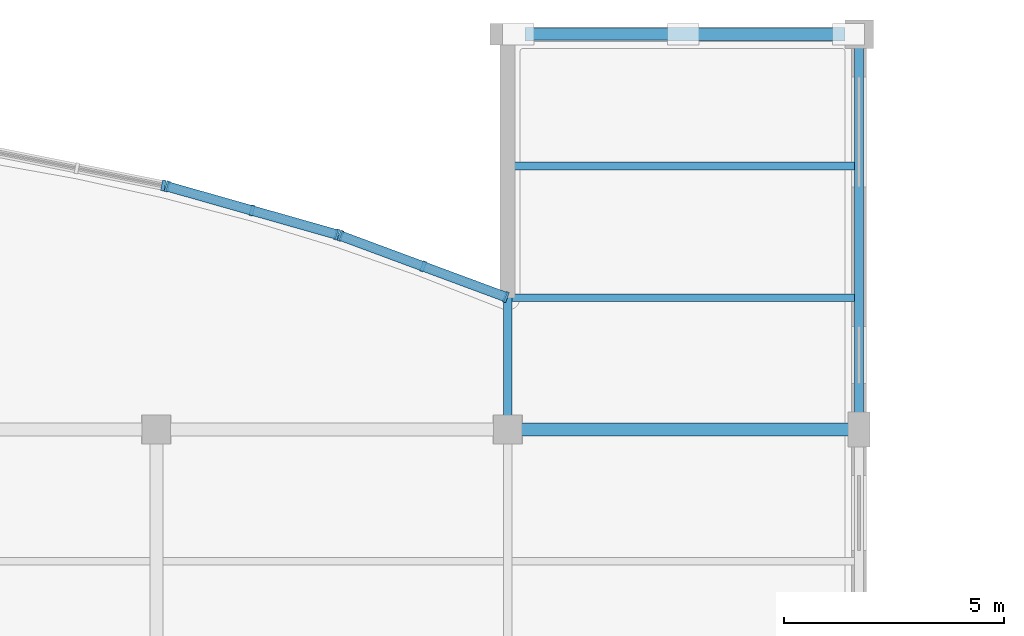
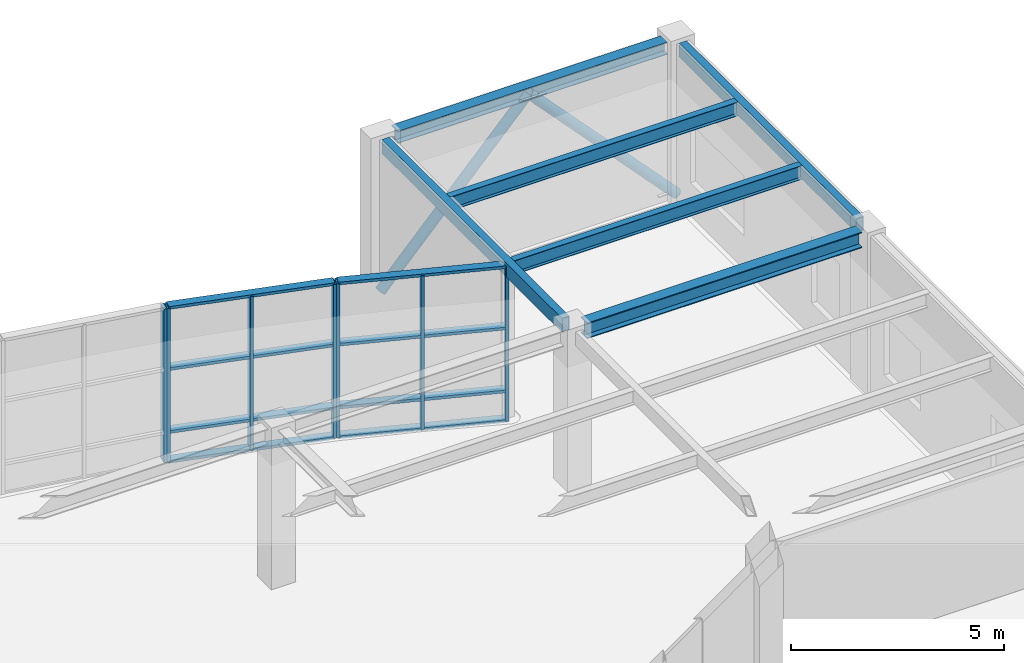
# One storey, part 32 of 63: 17 members, 6 beams, 3 elements without a shape of their own.
"""IFC4 building model written with IfcOpenShell, lengths in metres."""

from ifc_helpers import new_model, si_unit, direction, frame, origin, origin_2d, place, context, subcontext, project, spatial, rectangle, hollow_rectangle, hollow_circle, i_section, extrude, material, layer, layer_set, material_profile, profile_set, type_object, element, aggregate, save


model = new_model("IFC4")

# Units and contexts
model_context = context("Model", 3, precision=1e-05, world=origin(), true_north=direction((0.0, 1.0)))
body_context = subcontext(model_context, "Body", "Model", "MODEL_VIEW")
ifc_project = project(units=[si_unit("LENGTHUNIT", "METRE"), si_unit("AREAUNIT", "SQUARE_METRE"), si_unit("VOLUMEUNIT", "CUBIC_METRE"), si_unit("PLANEANGLEUNIT", "RADIAN"), si_unit("MASSUNIT", "GRAM", prefix="KILO")], contexts=[model_context])

# Site, building, storey
site_placement = place(None, origin())
site = spatial("IfcSite", under=ifc_project, at=site_placement, CompositionType="ELEMENT")
building_placement = place(site_placement, origin())
building = spatial("IfcBuilding", under=site, at=building_placement, Name="Keelwater Ferry Terminal", CompositionType="ELEMENT")
storey_placement = place(building_placement, frame((0.0, 0.0, 10.199951171875)))
storey = spatial("IfcBuildingStorey", under=building, at=storey_placement, Name="L02", CompositionType="ELEMENT", Elevation=10.199951171875)

# Members
ifc_material_1 = material(Name="Steel S355", Category="steel")
ifc_material_profile_1 = material_profile(ifc_material_1, hollow_circle(Radius=0.136474609375, WallThickness=0.012451171875, at=origin_2d()), Name="CHS 273x12.5")
ifc_profile_set_1 = profile_set([ifc_material_profile_1], Name="Steel S355")
member_type_1 = type_object("IfcMemberType", Name="BR2 CHS 273x12.5", PredefinedType="BRACE", material=ifc_profile_set_1)
for number, where, z_axis, x_axis, name in (
    (1, (172.0, 126.0, 0.0), (0.683655146647, 0.0, 0.729805207205), (0.0, 1.0, 0.0), "Structural Member MB-L02-0583"),
    (2, (180.0, 126.0, 0.0), (-0.683655146647, 0.0, 0.729805207205), (0.0, -1.0, 0.0), "Structural Member MB-L02-0584"),
):
    element("IfcMember", number, at=place(storey_placement, frame(where, z_axis=z_axis, x_axis=x_axis)), inside=storey, type_object=member_type_1, Name=name, PredefinedType="BRACE", context=body_context, shape_type="SweptSolid", body=[
        extrude(hollow_circle(Radius=0.136474609375, WallThickness=0.012451171875, at=origin_2d()), origin(), (0.0, 0.0, 1.0), 5.850830078125),
    ])

# Curtain wall, members
ifc_material_2 = material(Name="Thermally broken unitised aluminium and triple glass", Category="aluminium")
ifc_layer = layer(ifc_material_2, 0.179931640625)
ifc_layer_set = layer_set([ifc_layer], Name="Thermally broken unitised aluminium and triple glass")
curtain_wall_type = type_object("IfcCurtainWallType", Name="CW-21 Unitised Curtain Wall 4015x4400", PredefinedType="USERDEFINED", material=ifc_layer_set)
curtain_wall_1_placement = place(storey_placement, origin())
curtain_wall_1 = element("IfcCurtainWall", 3, at=curtain_wall_1_placement, inside=storey, type_object=curtain_wall_type, Name="Unitised Curtain Wall CW-L02-193", ObjectType="UNITISED CURTAIN WALL", PredefinedType="USERDEFINED")
ifc_material_3 = material(Name="Aluminium mullion", Category="aluminium")
ifc_material_profile_2 = material_profile(ifc_material_3, rectangle(XDim=0.080078125, YDim=0.25, at=origin_2d()), Name="CWM-04")
ifc_profile_set_2 = profile_set([ifc_material_profile_2], Name="Aluminium mullion")
member_type_2 = type_object("IfcMemberType", Name="CWM-04 Curtain Mullion 80x250", PredefinedType="MULLION", material=ifc_profile_set_2)
member_1_placement = place(storey_placement, frame((171.9580078125, 120.01611328125, 0.0), z_axis=(0.0, 0.0, 1.0), x_axis=(-0.937592418253, 0.347736189136, 0.0)))
member_1 = element("IfcMember", 4, at=member_1_placement, type_object=member_type_2, Name="CW-L02-193 Mullion 1", PredefinedType="MULLION", context=body_context, shape_type="SweptSolid", body=[
    extrude(rectangle(XDim=0.080078125, YDim=0.25, at=origin_2d()), origin(), (0.0, 0.0, 1.0), 4.400146484375),
])
member_2_placement = place(storey_placement, frame((170.075927734375, 120.714111328125, 0.0), z_axis=(0.0, 0.0, 1.0), x_axis=(-0.937592418253, 0.347736189136, 0.0)))
member_2 = element("IfcMember", 5, at=member_2_placement, type_object=member_type_2, Name="CW-L02-193 Mullion 2", PredefinedType="MULLION", context=body_context, shape_type="SweptSolid", body=[
    extrude(rectangle(XDim=0.080078125, YDim=0.25, at=origin_2d()), origin(), (0.0, 0.0, 1.0), 4.400146484375),
])
member_3_placement = place(storey_placement, frame((168.194091796875, 121.412109375, 0.0), z_axis=(0.0, 0.0, 1.0), x_axis=(-0.937592418253, 0.347736189136, 0.0)))
member_3 = element("IfcMember", 6, at=member_3_placement, type_object=member_type_2, Name="CW-L02-193 Mullion 3", PredefinedType="MULLION", context=body_context, shape_type="SweptSolid", body=[
    extrude(rectangle(XDim=0.080078125, YDim=0.25, at=origin_2d()), origin(), (0.0, 0.0, 1.0), 4.400146484375),
])

curtain_wall_2_placement = place(storey_placement, origin())
curtain_wall_2 = element("IfcCurtainWall", 7, at=curtain_wall_2_placement, inside=storey, type_object=curtain_wall_type, Name="Unitised Curtain Wall CW-L02-194", ObjectType="UNITISED CURTAIN WALL", PredefinedType="USERDEFINED")
member_4_placement = place(storey_placement, frame((168.10888671875, 121.43994140625, 0.0), z_axis=(0.0, 0.0, 1.0), x_axis=(-0.962029778706, 0.272944508797, 0.0)))
member_4 = element("IfcMember", 8, at=member_4_placement, type_object=member_type_2, Name="CW-L02-194 Mullion 1", PredefinedType="MULLION", context=body_context, shape_type="SweptSolid", body=[
    extrude(rectangle(XDim=0.080078125, YDim=0.25, at=origin_2d()), origin(), (0.0, 0.0, 1.0), 4.400146484375),
])
member_5_placement = place(storey_placement, frame((166.177490234375, 121.988037109375, 0.0), z_axis=(0.0, 0.0, 1.0), x_axis=(-0.962029778706, 0.272944508797, 0.0)))
member_5 = element("IfcMember", 9, at=member_5_placement, type_object=member_type_2, Name="CW-L02-194 Mullion 2", PredefinedType="MULLION", context=body_context, shape_type="SweptSolid", body=[
    extrude(rectangle(XDim=0.080078125, YDim=0.25, at=origin_2d()), origin(), (0.0, 0.0, 1.0), 4.400146484375),
])
member_6_placement = place(storey_placement, frame((164.24609375, 122.535888671875, 0.0), z_axis=(0.0, 0.0, 1.0), x_axis=(-0.962029778706, 0.272944508797, 0.0)))
member_6 = element("IfcMember", 10, at=member_6_placement, type_object=member_type_2, Name="CW-L02-194 Mullion 3", PredefinedType="MULLION", context=body_context, shape_type="SweptSolid", body=[
    extrude(rectangle(XDim=0.080078125, YDim=0.25, at=origin_2d()), origin(), (0.0, 0.0, 1.0), 4.400146484375),
])

# Curtain wall, member
curtain_wall_3_placement = place(storey_placement, origin())
curtain_wall_3 = element("IfcCurtainWall", 11, at=curtain_wall_3_placement, inside=storey, type_object=curtain_wall_type, Name="Unitised Curtain Wall CW-L02-195", ObjectType="UNITISED CURTAIN WALL", PredefinedType="USERDEFINED")
member_7_placement = place(storey_placement, frame((164.158935546875, 122.556884765625, 0.0), z_axis=(0.0, 0.0, 1.0), x_axis=(-0.98059983046, 0.196020336958, 0.0)))
member_7 = element("IfcMember", 12, at=member_7_placement, type_object=member_type_2, Name="CW-L02-195 Mullion 1", PredefinedType="MULLION", context=body_context, shape_type="SweptSolid", body=[
    extrude(rectangle(XDim=0.080078125, YDim=0.25, at=origin_2d()), origin(), (0.0, 0.0, 1.0), 4.400146484375),
])
aggregate(curtain_wall_3, [member_7])

# Member
ifc_material_4 = material(Name="Aluminium mullion", Category="aluminium")
ifc_material_profile_3 = material_profile(ifc_material_4, rectangle(XDim=0.219970703125, YDim=0.080078125, at=origin_2d()), Name="CWT-04")
ifc_profile_set_3 = profile_set([ifc_material_profile_3], Name="Aluminium mullion")
member_type_3 = type_object("IfcMemberType", Name="CWT-04 Curtain Transom 80x220", PredefinedType="USERDEFINED", material=ifc_profile_set_3)
member_8_placement = place(storey_placement, frame((171.9580078125, 120.01611328125, 0.0), z_axis=(-0.937590205769, 0.347742154543, 0.0), x_axis=(-0.347742154543, -0.937590205769, 0.0)))
member_8 = element("IfcMember", 13, at=member_8_placement, type_object=member_type_3, Name="CW-L02-193 Transom 1", ObjectType="TRANSOM", PredefinedType="USERDEFINED", context=body_context, shape_type="SweptSolid", body=[
    extrude(rectangle(XDim=0.219970703125, YDim=0.080078125, at=origin_2d()), origin(), (0.0, 0.0, 1.0), 4.014404296875),
])

member_9_placement = place(storey_placement, frame((171.9580078125, 120.01611328125, 0.85009765625), z_axis=(-0.937590205769, 0.347742154543, 0.0), x_axis=(-0.347742154543, -0.937590205769, 0.0)))
member_9 = element("IfcMember", 14, at=member_9_placement, type_object=member_type_3, Name="CW-L02-193 Transom 2", ObjectType="TRANSOM", PredefinedType="USERDEFINED", context=body_context, shape_type="SweptSolid", body=[
    extrude(rectangle(XDim=0.219970703125, YDim=0.080078125, at=origin_2d()), origin(), (0.0, 0.0, 1.0), 4.014404296875),
])

member_10_placement = place(storey_placement, frame((171.9580078125, 120.01611328125, 2.650146484375), z_axis=(-0.937590205769, 0.347742154543, 0.0), x_axis=(-0.347742154543, -0.937590205769, 0.0)))
member_10 = element("IfcMember", 15, at=member_10_placement, type_object=member_type_3, Name="CW-L02-193 Transom 3", ObjectType="TRANSOM", PredefinedType="USERDEFINED", context=body_context, shape_type="SweptSolid", body=[
    extrude(rectangle(XDim=0.219970703125, YDim=0.080078125, at=origin_2d()), origin(), (0.0, 0.0, 1.0), 4.014404296875),
])

member_11_placement = place(storey_placement, frame((171.9580078125, 120.01611328125, 4.400146484375), z_axis=(-0.937590205769, 0.347742154543, 0.0), x_axis=(-0.347742154543, -0.937590205769, 0.0)))
member_11 = element("IfcMember", 16, at=member_11_placement, type_object=member_type_3, Name="CW-L02-193 Transom 4", ObjectType="TRANSOM", PredefinedType="USERDEFINED", context=body_context, shape_type="SweptSolid", body=[
    extrude(rectangle(XDim=0.219970703125, YDim=0.080078125, at=origin_2d()), origin(), (0.0, 0.0, 1.0), 4.014404296875),
])

aggregate(curtain_wall_1, [member_1, member_2, member_3, member_8, member_9, member_10, member_11])

member_12_placement = place(storey_placement, frame((168.10888671875, 121.43994140625, 0.0), z_axis=(-0.962029386072, 0.272945892686, 0.0), x_axis=(-0.272945892686, -0.962029386072, 0.0)))
member_12 = element("IfcMember", 17, at=member_12_placement, type_object=member_type_3, Name="CW-L02-194 Transom 1", ObjectType="TRANSOM", PredefinedType="USERDEFINED", context=body_context, shape_type="SweptSolid", body=[
    extrude(rectangle(XDim=0.219970703125, YDim=0.080078125, at=origin_2d()), origin(), (0.0, 0.0, 1.0), 4.01513671875),
])

member_13_placement = place(storey_placement, frame((168.10888671875, 121.43994140625, 0.85009765625), z_axis=(-0.962029386072, 0.272945892686, 0.0), x_axis=(-0.272945892686, -0.962029386072, 0.0)))
member_13 = element("IfcMember", 18, at=member_13_placement, type_object=member_type_3, Name="CW-L02-194 Transom 2", ObjectType="TRANSOM", PredefinedType="USERDEFINED", context=body_context, shape_type="SweptSolid", body=[
    extrude(rectangle(XDim=0.219970703125, YDim=0.080078125, at=origin_2d()), origin(), (0.0, 0.0, 1.0), 4.01513671875),
])

member_14_placement = place(storey_placement, frame((168.10888671875, 121.43994140625, 2.650146484375), z_axis=(-0.962029386072, 0.272945892686, 0.0), x_axis=(-0.272945892686, -0.962029386072, 0.0)))
member_14 = element("IfcMember", 19, at=member_14_placement, type_object=member_type_3, Name="CW-L02-194 Transom 3", ObjectType="TRANSOM", PredefinedType="USERDEFINED", context=body_context, shape_type="SweptSolid", body=[
    extrude(rectangle(XDim=0.219970703125, YDim=0.080078125, at=origin_2d()), origin(), (0.0, 0.0, 1.0), 4.01513671875),
])

member_15_placement = place(storey_placement, frame((168.10888671875, 121.43994140625, 4.400146484375), z_axis=(-0.962029386072, 0.272945892686, 0.0), x_axis=(-0.272945892686, -0.962029386072, 0.0)))
member_15 = element("IfcMember", 20, at=member_15_placement, type_object=member_type_3, Name="CW-L02-194 Transom 4", ObjectType="TRANSOM", PredefinedType="USERDEFINED", context=body_context, shape_type="SweptSolid", body=[
    extrude(rectangle(XDim=0.219970703125, YDim=0.080078125, at=origin_2d()), origin(), (0.0, 0.0, 1.0), 4.01513671875),
])

aggregate(curtain_wall_2, [member_4, member_5, member_6, member_12, member_13, member_14, member_15])

# Beams
ifc_material_5 = material(Name="Steel S355", Category="steel")
ifc_material_profile_4 = material_profile(ifc_material_5, i_section(OverallWidth=0.300048828125, OverallDepth=0.449951171875, WebThickness=0.013916015625, FlangeThickness=0.02587890625, at=origin_2d()), Name="HEB 450")
ifc_profile_set_4 = profile_set([ifc_material_profile_4], Name="Steel S355")
beam_type_1 = type_object("IfcBeamType", Name="G6 HEB 450", PredefinedType="BEAM", material=ifc_profile_set_4)
beam_1_placement = place(storey_placement, frame((172.318115234375, 117.0, 4.295166015625), z_axis=(1.0, 0.0, 0.0), x_axis=(0.0, 1.0, 0.0)))
element("IfcBeam", 21, at=beam_1_placement, inside=storey, type_object=beam_type_1, Name="Beam BM-L02-1068", PredefinedType="BEAM", context=body_context, shape_type="SweptSolid", body=[
    extrude(i_section(OverallWidth=0.300048828125, OverallDepth=0.449951171875, WebThickness=0.013916015625, FlangeThickness=0.02587890625, at=origin_2d()), origin(), (0.0, 0.0, 1.0), 7.436767578125),
])
ifc_material_6 = material(Name="Steel S355", Category="steel")
ifc_material_profile_5 = material_profile(ifc_material_6, i_section(OverallWidth=0.179931640625, OverallDepth=0.39990234375, WebThickness=0.008544921875, FlangeThickness=0.013427734375, at=origin_2d()), Name="IPE 400")
ifc_profile_set_5 = profile_set([ifc_material_profile_5], Name="Steel S355")
beam_type_2 = type_object("IfcBeamType", Name="J5 IPE 400", PredefinedType="JOIST", material=ifc_profile_set_5)
for number, where, z_axis, x_axis, name in (
    (22, (172.10009765625, 120.0, 4.320068359375), (1.0, 0.0, 0.0), (0.0, 1.0, 0.0), "Beam BM-L02-1263"),
    (23, (172.10009765625, 123.0, 4.320068359375), (1.0, 0.0, 0.0), (0.0, 1.0, 0.0), "Beam BM-L02-1264"),
):
    element("IfcBeam", number, at=place(storey_placement, frame(where, z_axis=z_axis, x_axis=x_axis)), inside=storey, type_object=beam_type_2, Name=name, PredefinedType="JOIST", context=body_context, shape_type="SweptSolid", body=[
        extrude(i_section(OverallWidth=0.179931640625, OverallDepth=0.39990234375, WebThickness=0.008544921875, FlangeThickness=0.013427734375, at=origin_2d()), origin(), (0.0, 0.0, 1.0), 7.7998046875),
    ])
ifc_material_7 = material(Name="Steel S355", Category="steel")
ifc_material_profile_6 = material_profile(ifc_material_7, i_section(OverallWidth=0.300048828125, OverallDepth=0.35009765625, WebThickness=0.010009765625, FlangeThickness=0.017578125, at=origin_2d()), Name="HEA 360")
ifc_profile_set_6 = profile_set([ifc_material_profile_6], Name="Steel S355")
beam_type_3 = type_object("IfcBeamType", Name="SP1E HEA 360", PredefinedType="SPANDREL", material=ifc_profile_set_6)
beam_2_placement = place(storey_placement, frame((172.39208984375, 126.0, 4.344970703125), z_axis=(1.0, 0.0, 0.0), x_axis=(0.0, 1.0, 0.0)))
element("IfcBeam", 24, at=beam_2_placement, inside=storey, type_object=beam_type_3, Name="Beam BM-L02-1071", PredefinedType="SPANDREL", context=body_context, shape_type="SweptSolid", body=[
    extrude(i_section(OverallWidth=0.300048828125, OverallDepth=0.35009765625, WebThickness=0.010009765625, FlangeThickness=0.017578125, at=origin_2d()), origin(), (0.0, 0.0, 1.0), 7.289794921875),
])
ifc_material_8 = material(Name="Steel S355", Category="steel")
ifc_material_profile_7 = material_profile(ifc_material_8, hollow_rectangle(XDim=0.199951171875, YDim=0.39990234375, WallThickness=0.01611328125, at=origin_2d()), Name="RHS 400x200x16")
ifc_profile_set_7 = profile_set([ifc_material_profile_7], Name="Steel S355")
beam_type_4 = type_object("IfcBeamType", Name="SP3E RHS 400x200x16", PredefinedType="SPANDREL", material=ifc_profile_set_7)
beam_3_placement = place(storey_placement, frame((172.0, 117.318115234375, 4.320068359375), z_axis=(0.0, 1.0, 0.0), x_axis=(-1.0, 0.0, 0.0)))
element("IfcBeam", 25, at=beam_3_placement, inside=storey, type_object=beam_type_4, Name="Beam BM-L02-1141", PredefinedType="SPANDREL", context=body_context, shape_type="SweptSolid", body=[
    extrude(hollow_rectangle(XDim=0.199951171875, YDim=0.39990234375, WallThickness=0.01611328125, at=origin_2d()), origin(), (0.0, 0.0, 1.0), 8.436767578125),
])
beam_4_placement = place(storey_placement, frame((180.0, 117.39208984375, 4.320068359375), z_axis=(0.0, 1.0, 0.0), x_axis=(-1.0, 0.0, 0.0)))
element("IfcBeam", 26, at=beam_4_placement, inside=storey, type_object=beam_type_4, Name="Beam BM-L02-1147", PredefinedType="SPANDREL", context=body_context, shape_type="SweptSolid", body=[
    extrude(hollow_rectangle(XDim=0.199951171875, YDim=0.39990234375, WallThickness=0.01611328125, at=origin_2d()), origin(), (0.0, 0.0, 1.0), 8.289794921875),
])

save(model, "model.ifc")
